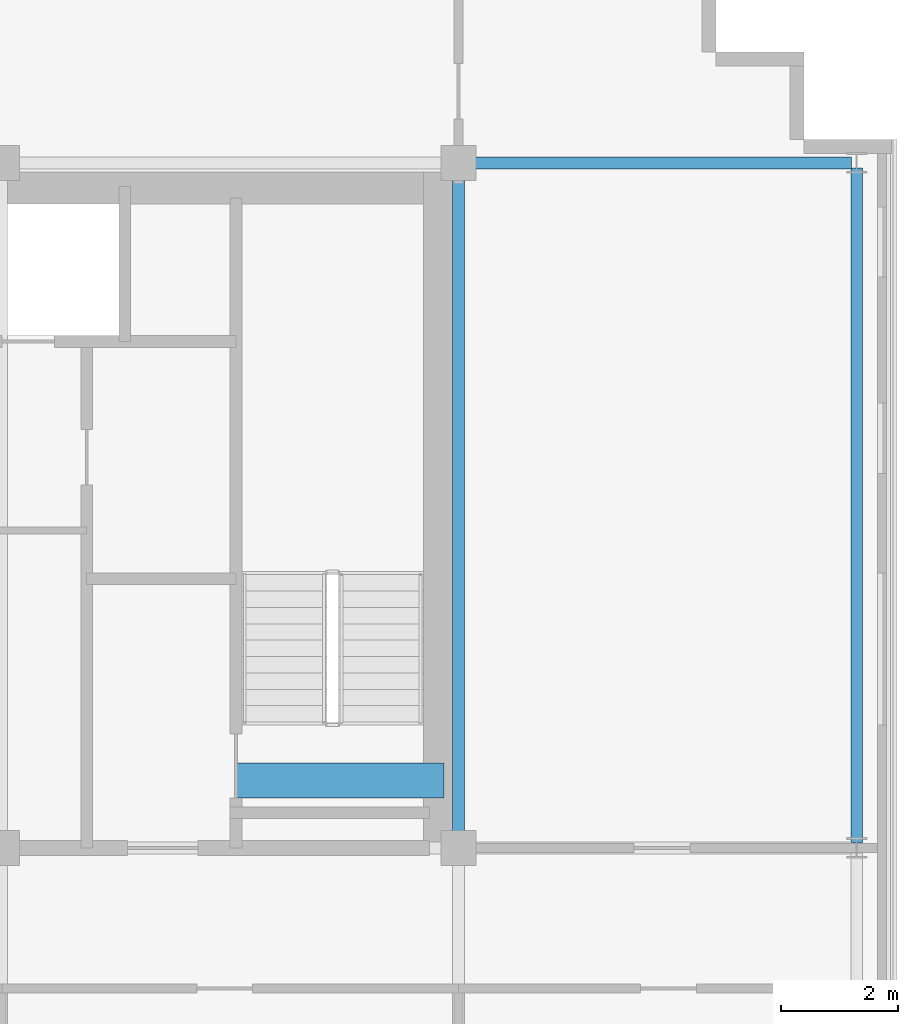
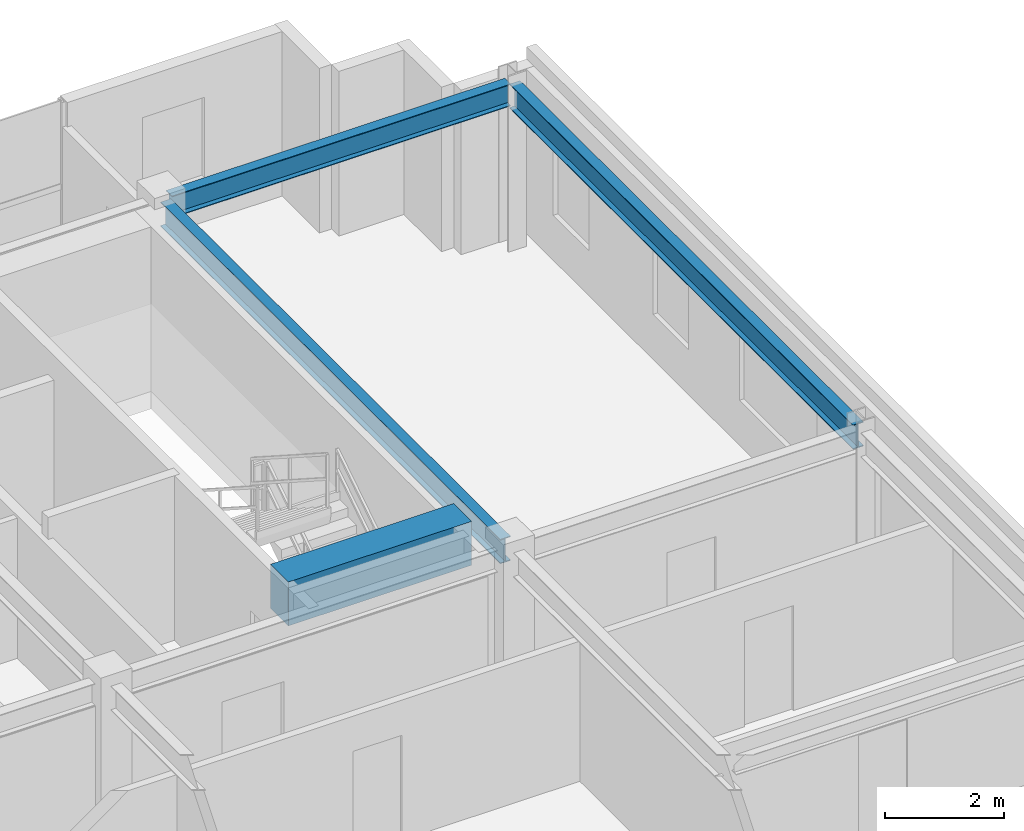
# One storey, part 13 of 21: 4 beams.
"""IFC4 building model written with IfcOpenShell, lengths in metres."""

from ifc_helpers import new_model, si_unit, direction, frame, origin, origin_2d, place, context, subcontext, project, spatial, rectangle, i_section, extrude, source, transform, mapped, material, material_profile, profile_set, type_object, element, save


model = new_model("IFC4")

# Units and contexts
model_context = context("Model", 3, precision=1e-05, world=origin(), true_north=direction((0.0, 1.0)))
body_context = subcontext(model_context, "Body", "Model", "MODEL_VIEW")
ifc_project = project(units=[si_unit("LENGTHUNIT", "METRE"), si_unit("AREAUNIT", "SQUARE_METRE"), si_unit("VOLUMEUNIT", "CUBIC_METRE"), si_unit("PLANEANGLEUNIT", "RADIAN"), si_unit("MASSUNIT", "GRAM", prefix="KILO")], contexts=[model_context])

# Site, building, storey
site_placement = place(None, origin())
site = spatial("IfcSite", under=ifc_project, at=site_placement, CompositionType="ELEMENT")
building_placement = place(site_placement, origin())
building = spatial("IfcBuilding", under=site, at=building_placement, Name="Trelvane Seafront Commons", CompositionType="ELEMENT")
storey_placement = place(building_placement, frame((0.0, 0.0, 248.699951171875)))
storey = spatial("IfcBuildingStorey", under=building, at=storey_placement, Name="L64", CompositionType="ELEMENT", Elevation=248.699951171875)

# Beams
ifc_material_1 = material(Name="Concrete C60/75", Category="concrete")
ifc_material_profile_1 = material_profile(ifc_material_1, rectangle(XDim=0.60009765625, YDim=0.89990234375, at=origin_2d()), Name="RC-600x900")
ifc_profile_set_1 = profile_set([ifc_material_profile_1], Name="Concrete C60/75")
beam_type_1 = type_object("IfcBeamType", Name="STR-LNT-RC600x900", PredefinedType="LINTEL", material=ifc_profile_set_1)
shared_shape_1 = source(origin(), body_context, "Body", "SweptSolid", [
    extrude(rectangle(XDim=0.60009765625, YDim=0.89990234375, at=origin_2d()), origin(), (0.0, 0.0, 1.0), 3.550048828125),
])
beam_1_placement = place(storey_placement, frame((55.0, 34.550048828125, 2.920166015625), z_axis=(1.0, 0.0, 0.0), x_axis=(0.0, 1.0, 0.0)))
element("IfcBeam", 1, at=beam_1_placement, inside=storey, type_object=beam_type_1, Name="L64 Core Coupling Lintel Beam CB-68", PredefinedType="LINTEL", context=body_context, shape_type="MappedRepresentation", body=[
    mapped(shared_shape_1, transform((0.0, 0.0, 0.0), x_axis=(1.0, 0.0, 0.0), y_axis=(0.0, 1.0, 0.0), z_axis=(0.0, 0.0, 1.0), scale=1.0)),
])
ifc_material_2 = material(Name="Steel SM355 (S355)", Category="steel")
ifc_material_profile_2 = material_profile(ifc_material_2, i_section(OverallWidth=0.199951171875, OverallDepth=0.5, WebThickness=0.010009765625, FlangeThickness=0.01611328125, at=origin_2d()), Name="H-500x200x10x16")
ifc_profile_set_2 = profile_set([ifc_material_profile_2], Name="Steel SM355 (S355)")
beam_type_2 = type_object("IfcBeamType", Name="STR-BM-H500", PredefinedType="BEAM", material=ifc_profile_set_2)
shared_shape_2 = source(origin(), body_context, "Body", "SweptSolid", [
    extrude(i_section(OverallWidth=0.199951171875, OverallDepth=0.5, WebThickness=0.010009765625, FlangeThickness=0.01611328125, at=origin_2d()), origin(), (0.0, 0.0, 1.0), 11.39990234375),
])
beam_2_placement = place(storey_placement, frame((58.800048828125, 33.550048828125, 3.1201171875), z_axis=(0.0, 1.0, 0.0), x_axis=(-1.0, 0.0, 0.0)))
element("IfcBeam", 2, at=beam_2_placement, inside=storey, type_object=beam_type_2, Name="L64 Primary Girder G-49", PredefinedType="BEAM", context=body_context, shape_type="MappedRepresentation", body=[
    mapped(shared_shape_2, transform((0.0, 0.0, 0.0), x_axis=(1.0, 0.0, 0.0), y_axis=(0.0, 1.0, 0.0), z_axis=(0.0, 0.0, 1.0), scale=1.0)),
])
ifc_material_profile_3 = material_profile(ifc_material_2, i_section(OverallWidth=0.199951171875, OverallDepth=0.449951171875, WebThickness=0.009033203125, FlangeThickness=0.013916015625, at=origin_2d()), Name="H-450x200x9x14")
ifc_profile_set_3 = profile_set([ifc_material_profile_3], Name="Steel SM355 (S355)")
beam_type_3 = type_object("IfcBeamType", Name="STR-SPD-H450", PredefinedType="SPANDREL", material=ifc_profile_set_3)
shared_shape_3 = source(origin(), body_context, "Body", "SweptSolid", [
    extrude(i_section(OverallWidth=0.199951171875, OverallDepth=0.449951171875, WebThickness=0.009033203125, FlangeThickness=0.013916015625, at=origin_2d()), origin(), (0.0, 0.0, 1.0), 6.5625),
])
beam_3_placement = place(storey_placement, frame((58.949951171875, 45.10009765625, 3.14501953125), z_axis=(1.0, 0.0, 0.0), x_axis=(0.0, 1.0, 0.0)))
element("IfcBeam", 3, at=beam_3_placement, inside=storey, type_object=beam_type_3, Name="L64 Primary Girder G-28", PredefinedType="SPANDREL", context=body_context, shape_type="MappedRepresentation", body=[
    mapped(shared_shape_3, transform((0.0, 0.0, 0.0), x_axis=(1.0, 0.0, 0.0), y_axis=(0.0, 1.0, 0.0), z_axis=(0.0, 0.0, 1.0), scale=1.0)),
])
shared_shape_4 = source(origin(), body_context, "Body", "SweptSolid", [
    extrude(i_section(OverallWidth=0.199951171875, OverallDepth=0.5, WebThickness=0.010009765625, FlangeThickness=0.01611328125, at=origin_2d()), origin(), (0.0, 0.0, 1.0), 11.52490234375),
])
beam_4_placement = place(storey_placement, frame((65.60009765625, 33.487548828125, 3.1201171875), z_axis=(0.0, 1.0, 0.0), x_axis=(-1.0, 0.0, 0.0)))
element("IfcBeam", 4, at=beam_4_placement, inside=storey, type_object=beam_type_2, Name="L64 Primary Girder G-52", PredefinedType="BEAM", context=body_context, shape_type="MappedRepresentation", body=[
    mapped(shared_shape_4, transform((0.0, 0.0, 0.0), x_axis=(1.0, 0.0, 0.0), y_axis=(0.0, 1.0, 0.0), z_axis=(0.0, 0.0, 1.0), scale=1.0)),
])

save(model, "model.ifc")
